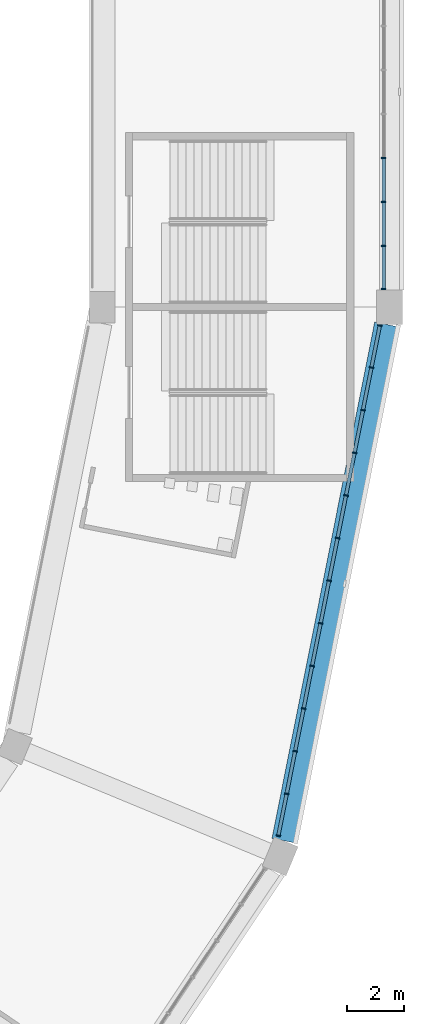
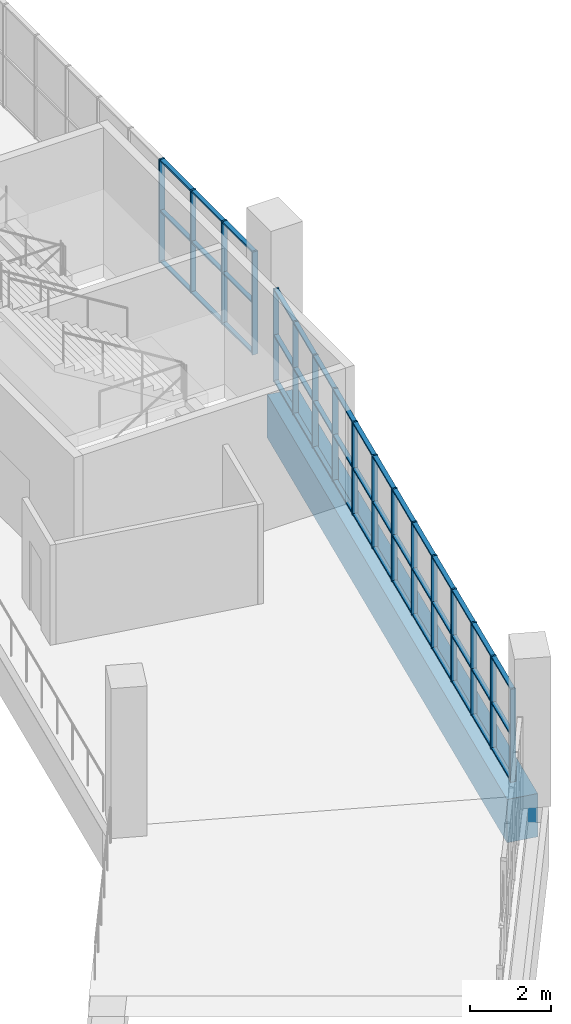
# One storey, part 20 of 177: 62 members, 1 beam, 2 elements without a shape of their own.
"""IFC4 building model written with IfcOpenShell, lengths in metres."""

from ifc_helpers import new_model, si_unit, direction, frame, origin, origin_2d, place, context, subcontext, project, spatial, rectangle, extrude, material, material_profile, profile_set, type_object, element, aggregate, save


model = new_model("IFC4")

# Units and contexts
model_context = context("Model", 3, precision=1e-05, world=origin(), true_north=direction((0.0, 1.0)))
body_context = subcontext(model_context, "Body", "Model", "MODEL_VIEW")
ifc_project = project(units=[si_unit("LENGTHUNIT", "METRE"), si_unit("AREAUNIT", "SQUARE_METRE"), si_unit("VOLUMEUNIT", "CUBIC_METRE"), si_unit("PLANEANGLEUNIT", "RADIAN"), si_unit("MASSUNIT", "GRAM", prefix="KILO")], contexts=[model_context])

# Site, building, storey
site_placement = place(None, origin())
site = spatial("IfcSite", under=ifc_project, at=site_placement, CompositionType="ELEMENT")
building_placement = place(site_placement, origin())
building = spatial("IfcBuilding", under=site, at=building_placement, Name="Ogive Plaza Stadium", CompositionType="ELEMENT")
storey_placement = place(building_placement, frame((0.0, 0.0, 18.0)))
storey = spatial("IfcBuildingStorey", under=building, at=storey_placement, Name="L04", CompositionType="ELEMENT", Elevation=18.0)

# Curtain wall, members
ifc_material_1 = material(Name="Bronze-anodised aluminium with laminated glass", Category="aluminium")
curtain_wall_type = type_object("IfcCurtainWallType", Name="Lancet curtain wall", PredefinedType="NOTDEFINED", material=ifc_material_1)
curtain_wall_1_placement = place(storey_placement, origin())
curtain_wall_1 = element("IfcCurtainWall", 1, at=curtain_wall_1_placement, inside=storey, type_object=curtain_wall_type, Name="CURTAIN WALL B07 L04", PredefinedType="NOTDEFINED")
ifc_material_2 = material(Name="Bronze-anodised aluminium", Category="aluminium")
ifc_material_profile_1 = material_profile(ifc_material_2, rectangle(XDim=0.14990234375, YDim=0.050048828125, at=origin_2d()), Name="AL 150x50")
ifc_profile_set_1 = profile_set([ifc_material_profile_1], Name="Bronze-anodised aluminium")
member_type_1 = type_object("IfcMemberType", Name="Curtain wall mullion 50x150", PredefinedType="MULLION", material=ifc_profile_set_1)
member_1_placement = place(storey_placement, frame((83.800048828125, -47.300048828125, 0.0), z_axis=(0.0, 0.0, 1.0), x_axis=(1.0, 0.0, 0.0)))
member_1 = element("IfcMember", 2, at=member_1_placement, type_object=member_type_1, Name="CW-B07-L04 mullion 7", PredefinedType="MULLION", context=body_context, shape_type="SweptSolid", body=[
    extrude(rectangle(XDim=0.14990234375, YDim=0.050048828125, at=origin_2d()), origin(), (0.0, 0.0, 1.0), 3.090087890625),
])
member_2_placement = place(storey_placement, frame((83.800048828125, -48.833251953125, 0.0), z_axis=(0.0, 0.0, 1.0), x_axis=(1.0, 0.0, 0.0)))
member_2 = element("IfcMember", 3, at=member_2_placement, type_object=member_type_1, Name="CW-B07-L04 mullion 8", PredefinedType="MULLION", context=body_context, shape_type="SweptSolid", body=[
    extrude(rectangle(XDim=0.14990234375, YDim=0.050048828125, at=origin_2d()), origin(), (0.0, 0.0, 1.0), 3.090087890625),
])
member_3_placement = place(storey_placement, frame((83.800048828125, -50.36669921875, 0.0), z_axis=(0.0, 0.0, 1.0), x_axis=(1.0, 0.0, 0.0)))
member_3 = element("IfcMember", 4, at=member_3_placement, type_object=member_type_1, Name="CW-B07-L04 mullion 9", PredefinedType="MULLION", context=body_context, shape_type="SweptSolid", body=[
    extrude(rectangle(XDim=0.14990234375, YDim=0.050048828125, at=origin_2d()), origin(), (0.0, 0.0, 1.0), 3.090087890625),
])
member_4_placement = place(storey_placement, frame((83.800048828125, -51.875, 0.0), z_axis=(0.0, 0.0, 1.0), x_axis=(1.0, 0.0, 0.0)))
member_4 = element("IfcMember", 5, at=member_4_placement, type_object=member_type_1, Name="CW-B07-L04 mullion 10", PredefinedType="MULLION", context=body_context, shape_type="SweptSolid", body=[
    extrude(rectangle(XDim=0.14990234375, YDim=0.050048828125, at=origin_2d()), origin(), (0.0, 0.0, 1.0), 3.090087890625),
])

curtain_wall_2_placement = place(storey_placement, origin())
curtain_wall_2 = element("IfcCurtainWall", 6, at=curtain_wall_2_placement, inside=storey, type_object=curtain_wall_type, Name="CURTAIN WALL B08 L04", PredefinedType="NOTDEFINED")
member_5_placement = place(storey_placement, frame((83.66796875, -53.14404296875, 0.0), z_axis=(0.0, 0.0, 1.0), x_axis=(0.980785280403, -0.195090322016, 0.0)))
member_5 = element("IfcMember", 7, at=member_5_placement, type_object=member_type_1, Name="CW-B08-L04 mullion 1", PredefinedType="MULLION", context=body_context, shape_type="SweptSolid", body=[
    extrude(rectangle(XDim=0.14990234375, YDim=0.050048828125, at=origin_2d()), origin(), (0.0, 0.0, 1.0), 2.7900390625),
])
member_6_placement = place(storey_placement, frame((83.37744140625, -54.604248046875, 0.0), z_axis=(0.0, 0.0, 1.0), x_axis=(0.980785280403, -0.195090322016, 0.0)))
member_6 = element("IfcMember", 8, at=member_6_placement, type_object=member_type_1, Name="CW-B08-L04 mullion 2", PredefinedType="MULLION", context=body_context, shape_type="SweptSolid", body=[
    extrude(rectangle(XDim=0.14990234375, YDim=0.050048828125, at=origin_2d()), origin(), (0.0, 0.0, 1.0), 2.7900390625),
])
member_7_placement = place(storey_placement, frame((83.082275390625, -56.089111328125, 0.0), z_axis=(0.0, 0.0, 1.0), x_axis=(0.980785280403, -0.195090322016, 0.0)))
member_7 = element("IfcMember", 9, at=member_7_placement, type_object=member_type_1, Name="CW-B08-L04 mullion 3", PredefinedType="MULLION", context=body_context, shape_type="SweptSolid", body=[
    extrude(rectangle(XDim=0.14990234375, YDim=0.050048828125, at=origin_2d()), origin(), (0.0, 0.0, 1.0), 2.7900390625),
])
member_8_placement = place(storey_placement, frame((82.786865234375, -57.57373046875, 0.0), z_axis=(0.0, 0.0, 1.0), x_axis=(0.980785280403, -0.195090322016, 0.0)))
member_8 = element("IfcMember", 10, at=member_8_placement, type_object=member_type_1, Name="CW-B08-L04 mullion 4", PredefinedType="MULLION", context=body_context, shape_type="SweptSolid", body=[
    extrude(rectangle(XDim=0.14990234375, YDim=0.050048828125, at=origin_2d()), origin(), (0.0, 0.0, 1.0), 2.7900390625),
])
member_9_placement = place(storey_placement, frame((82.491455078125, -59.05859375, 0.0), z_axis=(0.0, 0.0, 1.0), x_axis=(0.980785280403, -0.195090322016, 0.0)))
member_9 = element("IfcMember", 11, at=member_9_placement, type_object=member_type_1, Name="CW-B08-L04 mullion 5", PredefinedType="MULLION", context=body_context, shape_type="SweptSolid", body=[
    extrude(rectangle(XDim=0.14990234375, YDim=0.050048828125, at=origin_2d()), origin(), (0.0, 0.0, 1.0), 2.7900390625),
])
member_10_placement = place(storey_placement, frame((82.1962890625, -60.543212890625, 0.0), z_axis=(0.0, 0.0, 1.0), x_axis=(0.980785280403, -0.195090322016, 0.0)))
member_10 = element("IfcMember", 12, at=member_10_placement, type_object=member_type_1, Name="CW-B08-L04 mullion 6", PredefinedType="MULLION", context=body_context, shape_type="SweptSolid", body=[
    extrude(rectangle(XDim=0.14990234375, YDim=0.050048828125, at=origin_2d()), origin(), (0.0, 0.0, 1.0), 2.7900390625),
])
member_11_placement = place(storey_placement, frame((81.90087890625, -62.028076171875, 0.0), z_axis=(0.0, 0.0, 1.0), x_axis=(0.980785280403, -0.195090322016, 0.0)))
member_11 = element("IfcMember", 13, at=member_11_placement, type_object=member_type_1, Name="CW-B08-L04 mullion 7", PredefinedType="MULLION", context=body_context, shape_type="SweptSolid", body=[
    extrude(rectangle(XDim=0.14990234375, YDim=0.050048828125, at=origin_2d()), origin(), (0.0, 0.0, 1.0), 2.7900390625),
])
member_12_placement = place(storey_placement, frame((81.60546875, -63.512939453125, 0.0), z_axis=(0.0, 0.0, 1.0), x_axis=(0.980785280403, -0.195090322016, 0.0)))
member_12 = element("IfcMember", 14, at=member_12_placement, type_object=member_type_1, Name="CW-B08-L04 mullion 8", PredefinedType="MULLION", context=body_context, shape_type="SweptSolid", body=[
    extrude(rectangle(XDim=0.14990234375, YDim=0.050048828125, at=origin_2d()), origin(), (0.0, 0.0, 1.0), 2.7900390625),
])
member_13_placement = place(storey_placement, frame((81.31005859375, -64.99755859375, 0.0), z_axis=(0.0, 0.0, 1.0), x_axis=(0.980785280403, -0.195090322016, 0.0)))
member_13 = element("IfcMember", 15, at=member_13_placement, type_object=member_type_1, Name="CW-B08-L04 mullion 9", PredefinedType="MULLION", context=body_context, shape_type="SweptSolid", body=[
    extrude(rectangle(XDim=0.14990234375, YDim=0.050048828125, at=origin_2d()), origin(), (0.0, 0.0, 1.0), 2.7900390625),
])
member_14_placement = place(storey_placement, frame((81.014892578125, -66.482421875, 0.0), z_axis=(0.0, 0.0, 1.0), x_axis=(0.980785280403, -0.195090322016, 0.0)))
member_14 = element("IfcMember", 16, at=member_14_placement, type_object=member_type_1, Name="CW-B08-L04 mullion 10", PredefinedType="MULLION", context=body_context, shape_type="SweptSolid", body=[
    extrude(rectangle(XDim=0.14990234375, YDim=0.050048828125, at=origin_2d()), origin(), (0.0, 0.0, 1.0), 2.7900390625),
])
member_15_placement = place(storey_placement, frame((80.719482421875, -67.967041015625, 0.0), z_axis=(0.0, 0.0, 1.0), x_axis=(0.980785280403, -0.195090322016, 0.0)))
member_15 = element("IfcMember", 17, at=member_15_placement, type_object=member_type_1, Name="CW-B08-L04 mullion 11", PredefinedType="MULLION", context=body_context, shape_type="SweptSolid", body=[
    extrude(rectangle(XDim=0.14990234375, YDim=0.050048828125, at=origin_2d()), origin(), (0.0, 0.0, 1.0), 2.7900390625),
])
member_16_placement = place(storey_placement, frame((80.424072265625, -69.451904296875, 0.0), z_axis=(0.0, 0.0, 1.0), x_axis=(0.980785280403, -0.195090322016, 0.0)))
member_16 = element("IfcMember", 18, at=member_16_placement, type_object=member_type_1, Name="CW-B08-L04 mullion 12", PredefinedType="MULLION", context=body_context, shape_type="SweptSolid", body=[
    extrude(rectangle(XDim=0.14990234375, YDim=0.050048828125, at=origin_2d()), origin(), (0.0, 0.0, 1.0), 2.7900390625),
])
member_17_placement = place(storey_placement, frame((80.1337890625, -70.912109375, 0.0), z_axis=(0.0, 0.0, 1.0), x_axis=(0.980785280403, -0.195090322016, 0.0)))
member_17 = element("IfcMember", 19, at=member_17_placement, type_object=member_type_1, Name="CW-B08-L04 mullion 13", PredefinedType="MULLION", context=body_context, shape_type="SweptSolid", body=[
    extrude(rectangle(XDim=0.14990234375, YDim=0.050048828125, at=origin_2d()), origin(), (0.0, 0.0, 1.0), 2.7900390625),
])

# Member
ifc_material_3 = material(Name="Bronze-anodised aluminium", Category="aluminium")
ifc_material_profile_2 = material_profile(ifc_material_3, rectangle(XDim=0.1201171875, YDim=0.050048828125, at=origin_2d()), Name="AL 120x50")
ifc_profile_set_2 = profile_set([ifc_material_profile_2], Name="Bronze-anodised aluminium")
member_type_2 = type_object("IfcMemberType", Name="Curtain wall transom 50x120", PredefinedType="USERDEFINED", material=ifc_profile_set_2)
member_18_placement = place(storey_placement, frame((83.800048828125, -47.324951171875, 0.02490234375), z_axis=(0.0, -1.0, 0.0), x_axis=(1.0, 0.0, 0.0)))
member_18 = element("IfcMember", 20, at=member_18_placement, type_object=member_type_2, Name="CW-B07-L04 transom 7.1", ObjectType="TRANSOM", PredefinedType="USERDEFINED", context=body_context, shape_type="SweptSolid", body=[
    extrude(rectangle(XDim=0.1201171875, YDim=0.050048828125, at=origin_2d()), origin(), (0.0, 0.0, 1.0), 1.4833984375),
])

member_19_placement = place(storey_placement, frame((83.800048828125, -47.324951171875, 1.544921875), z_axis=(0.0, -1.0, 0.0), x_axis=(1.0, 0.0, 0.0)))
member_19 = element("IfcMember", 21, at=member_19_placement, type_object=member_type_2, Name="CW-B07-L04 transom 7.2", ObjectType="TRANSOM", PredefinedType="USERDEFINED", context=body_context, shape_type="SweptSolid", body=[
    extrude(rectangle(XDim=0.1201171875, YDim=0.050048828125, at=origin_2d()), origin(), (0.0, 0.0, 1.0), 1.4833984375),
])

member_20_placement = place(storey_placement, frame((83.800048828125, -47.324951171875, 3.06494140625), z_axis=(0.0, -1.0, 0.0), x_axis=(1.0, 0.0, 0.0)))
member_20 = element("IfcMember", 22, at=member_20_placement, type_object=member_type_2, Name="CW-B07-L04 transom 7.3", ObjectType="TRANSOM", PredefinedType="USERDEFINED", context=body_context, shape_type="SweptSolid", body=[
    extrude(rectangle(XDim=0.1201171875, YDim=0.050048828125, at=origin_2d()), origin(), (0.0, 0.0, 1.0), 1.4833984375),
])

member_21_placement = place(storey_placement, frame((83.800048828125, -48.8583984375, 0.02490234375), z_axis=(0.0, -1.0, 0.0), x_axis=(1.0, 0.0, 0.0)))
member_21 = element("IfcMember", 23, at=member_21_placement, type_object=member_type_2, Name="CW-B07-L04 transom 8.1", ObjectType="TRANSOM", PredefinedType="USERDEFINED", context=body_context, shape_type="SweptSolid", body=[
    extrude(rectangle(XDim=0.1201171875, YDim=0.050048828125, at=origin_2d()), origin(), (0.0, 0.0, 1.0), 1.483154296875),
])

member_22_placement = place(storey_placement, frame((83.800048828125, -48.8583984375, 1.544921875), z_axis=(0.0, -1.0, 0.0), x_axis=(1.0, 0.0, 0.0)))
member_22 = element("IfcMember", 24, at=member_22_placement, type_object=member_type_2, Name="CW-B07-L04 transom 8.2", ObjectType="TRANSOM", PredefinedType="USERDEFINED", context=body_context, shape_type="SweptSolid", body=[
    extrude(rectangle(XDim=0.1201171875, YDim=0.050048828125, at=origin_2d()), origin(), (0.0, 0.0, 1.0), 1.483154296875),
])

member_23_placement = place(storey_placement, frame((83.800048828125, -48.8583984375, 3.06494140625), z_axis=(0.0, -1.0, 0.0), x_axis=(1.0, 0.0, 0.0)))
member_23 = element("IfcMember", 25, at=member_23_placement, type_object=member_type_2, Name="CW-B07-L04 transom 8.3", ObjectType="TRANSOM", PredefinedType="USERDEFINED", context=body_context, shape_type="SweptSolid", body=[
    extrude(rectangle(XDim=0.1201171875, YDim=0.050048828125, at=origin_2d()), origin(), (0.0, 0.0, 1.0), 1.483154296875),
])

member_24_placement = place(storey_placement, frame((83.800048828125, -50.3916015625, 0.02490234375), z_axis=(0.0, -1.0, 0.0), x_axis=(1.0, 0.0, 0.0)))
member_24 = element("IfcMember", 26, at=member_24_placement, type_object=member_type_2, Name="CW-B07-L04 transom 9.1", ObjectType="TRANSOM", PredefinedType="USERDEFINED", context=body_context, shape_type="SweptSolid", body=[
    extrude(rectangle(XDim=0.1201171875, YDim=0.050048828125, at=origin_2d()), origin(), (0.0, 0.0, 1.0), 1.45849609375),
])

member_25_placement = place(storey_placement, frame((83.800048828125, -50.3916015625, 1.544921875), z_axis=(0.0, -1.0, 0.0), x_axis=(1.0, 0.0, 0.0)))
member_25 = element("IfcMember", 27, at=member_25_placement, type_object=member_type_2, Name="CW-B07-L04 transom 9.2", ObjectType="TRANSOM", PredefinedType="USERDEFINED", context=body_context, shape_type="SweptSolid", body=[
    extrude(rectangle(XDim=0.1201171875, YDim=0.050048828125, at=origin_2d()), origin(), (0.0, 0.0, 1.0), 1.45849609375),
])

member_26_placement = place(storey_placement, frame((83.800048828125, -50.3916015625, 3.06494140625), z_axis=(0.0, -1.0, 0.0), x_axis=(1.0, 0.0, 0.0)))
member_26 = element("IfcMember", 28, at=member_26_placement, type_object=member_type_2, Name="CW-B07-L04 transom 9.3", ObjectType="TRANSOM", PredefinedType="USERDEFINED", context=body_context, shape_type="SweptSolid", body=[
    extrude(rectangle(XDim=0.1201171875, YDim=0.050048828125, at=origin_2d()), origin(), (0.0, 0.0, 1.0), 1.45849609375),
])

aggregate(curtain_wall_1, [member_1, member_2, member_3, member_4, member_18, member_19, member_20, member_21, member_22, member_23, member_24, member_25, member_26])

member_27_placement = place(storey_placement, frame((83.6630859375, -53.16845703125, 0.02490234375), z_axis=(-0.195104618913, -0.980782436465, 0.0), x_axis=(0.980782436465, -0.195104618913, 0.0)))
member_27 = element("IfcMember", 29, at=member_27_placement, type_object=member_type_2, Name="CW-B08-L04 transom 1.1", ObjectType="TRANSOM", PredefinedType="USERDEFINED", context=body_context, shape_type="SweptSolid", body=[
    extrude(rectangle(XDim=0.1201171875, YDim=0.050048828125, at=origin_2d()), origin(), (0.0, 0.0, 1.0), 1.43896484375),
])

member_28_placement = place(storey_placement, frame((83.6630859375, -53.16845703125, 1.39501953125), z_axis=(-0.195104618913, -0.980782436465, 0.0), x_axis=(0.980782436465, -0.195104618913, 0.0)))
member_28 = element("IfcMember", 30, at=member_28_placement, type_object=member_type_2, Name="CW-B08-L04 transom 1.2", ObjectType="TRANSOM", PredefinedType="USERDEFINED", context=body_context, shape_type="SweptSolid", body=[
    extrude(rectangle(XDim=0.1201171875, YDim=0.050048828125, at=origin_2d()), origin(), (0.0, 0.0, 1.0), 1.43896484375),
])

member_29_placement = place(storey_placement, frame((83.6630859375, -53.16845703125, 2.764892578125), z_axis=(-0.195104618913, -0.980782436465, 0.0), x_axis=(0.980782436465, -0.195104618913, 0.0)))
member_29 = element("IfcMember", 31, at=member_29_placement, type_object=member_type_2, Name="CW-B08-L04 transom 1.3", ObjectType="TRANSOM", PredefinedType="USERDEFINED", context=body_context, shape_type="SweptSolid", body=[
    extrude(rectangle(XDim=0.1201171875, YDim=0.050048828125, at=origin_2d()), origin(), (0.0, 0.0, 1.0), 1.43896484375),
])

member_30_placement = place(storey_placement, frame((83.37255859375, -54.62890625, 0.02490234375), z_axis=(-0.194993290732, -0.980804576136, 0.0), x_axis=(0.980804576136, -0.194993290732, 0.0)))
member_30 = element("IfcMember", 32, at=member_30_placement, type_object=member_type_2, Name="CW-B08-L04 transom 2.1", ObjectType="TRANSOM", PredefinedType="USERDEFINED", context=body_context, shape_type="SweptSolid", body=[
    extrude(rectangle(XDim=0.1201171875, YDim=0.050048828125, at=origin_2d()), origin(), (0.0, 0.0, 1.0), 1.463623046875),
])

member_31_placement = place(storey_placement, frame((83.37255859375, -54.62890625, 1.39501953125), z_axis=(-0.194993290732, -0.980804576136, 0.0), x_axis=(0.980804576136, -0.194993290732, 0.0)))
member_31 = element("IfcMember", 33, at=member_31_placement, type_object=member_type_2, Name="CW-B08-L04 transom 2.2", ObjectType="TRANSOM", PredefinedType="USERDEFINED", context=body_context, shape_type="SweptSolid", body=[
    extrude(rectangle(XDim=0.1201171875, YDim=0.050048828125, at=origin_2d()), origin(), (0.0, 0.0, 1.0), 1.463623046875),
])

member_32_placement = place(storey_placement, frame((83.37255859375, -54.62890625, 2.764892578125), z_axis=(-0.194993290732, -0.980804576136, 0.0), x_axis=(0.980804576136, -0.194993290732, 0.0)))
member_32 = element("IfcMember", 34, at=member_32_placement, type_object=member_type_2, Name="CW-B08-L04 transom 2.3", ObjectType="TRANSOM", PredefinedType="USERDEFINED", context=body_context, shape_type="SweptSolid", body=[
    extrude(rectangle(XDim=0.1201171875, YDim=0.050048828125, at=origin_2d()), origin(), (0.0, 0.0, 1.0), 1.463623046875),
])

member_33_placement = place(storey_placement, frame((83.077392578125, -56.113525390625, 0.02490234375), z_axis=(-0.195121823859, -0.980779013771, 0.0), x_axis=(0.980779013771, -0.195121823859, 0.0)))
member_33 = element("IfcMember", 35, at=member_33_placement, type_object=member_type_2, Name="CW-B08-L04 transom 3.1", ObjectType="TRANSOM", PredefinedType="USERDEFINED", context=body_context, shape_type="SweptSolid", body=[
    extrude(rectangle(XDim=0.1201171875, YDim=0.050048828125, at=origin_2d()), origin(), (0.0, 0.0, 1.0), 1.4638671875),
])

member_34_placement = place(storey_placement, frame((83.077392578125, -56.113525390625, 1.39501953125), z_axis=(-0.195121823859, -0.980779013771, 0.0), x_axis=(0.980779013771, -0.195121823859, 0.0)))
member_34 = element("IfcMember", 36, at=member_34_placement, type_object=member_type_2, Name="CW-B08-L04 transom 3.2", ObjectType="TRANSOM", PredefinedType="USERDEFINED", context=body_context, shape_type="SweptSolid", body=[
    extrude(rectangle(XDim=0.1201171875, YDim=0.050048828125, at=origin_2d()), origin(), (0.0, 0.0, 1.0), 1.4638671875),
])

member_35_placement = place(storey_placement, frame((83.077392578125, -56.113525390625, 2.764892578125), z_axis=(-0.195121823859, -0.980779013771, 0.0), x_axis=(0.980779013771, -0.195121823859, 0.0)))
member_35 = element("IfcMember", 37, at=member_35_placement, type_object=member_type_2, Name="CW-B08-L04 transom 3.3", ObjectType="TRANSOM", PredefinedType="USERDEFINED", context=body_context, shape_type="SweptSolid", body=[
    extrude(rectangle(XDim=0.1201171875, YDim=0.050048828125, at=origin_2d()), origin(), (0.0, 0.0, 1.0), 1.4638671875),
])

member_36_placement = place(storey_placement, frame((82.781982421875, -57.598388671875, 0.02490234375), z_axis=(-0.195153744134, -0.980772662828, 0.0), x_axis=(0.980772662828, -0.195153744134, 0.0)))
member_36 = element("IfcMember", 38, at=member_36_placement, type_object=member_type_2, Name="CW-B08-L04 transom 4.1", ObjectType="TRANSOM", PredefinedType="USERDEFINED", context=body_context, shape_type="SweptSolid", body=[
    extrude(rectangle(XDim=0.1201171875, YDim=0.050048828125, at=origin_2d()), origin(), (0.0, 0.0, 1.0), 1.463623046875),
])

member_37_placement = place(storey_placement, frame((82.781982421875, -57.598388671875, 1.39501953125), z_axis=(-0.195153744134, -0.980772662828, 0.0), x_axis=(0.980772662828, -0.195153744134, 0.0)))
member_37 = element("IfcMember", 39, at=member_37_placement, type_object=member_type_2, Name="CW-B08-L04 transom 4.2", ObjectType="TRANSOM", PredefinedType="USERDEFINED", context=body_context, shape_type="SweptSolid", body=[
    extrude(rectangle(XDim=0.1201171875, YDim=0.050048828125, at=origin_2d()), origin(), (0.0, 0.0, 1.0), 1.463623046875),
])

member_38_placement = place(storey_placement, frame((82.781982421875, -57.598388671875, 2.764892578125), z_axis=(-0.195153744134, -0.980772662828, 0.0), x_axis=(0.980772662828, -0.195153744134, 0.0)))
member_38 = element("IfcMember", 40, at=member_38_placement, type_object=member_type_2, Name="CW-B08-L04 transom 4.3", ObjectType="TRANSOM", PredefinedType="USERDEFINED", context=body_context, shape_type="SweptSolid", body=[
    extrude(rectangle(XDim=0.1201171875, YDim=0.050048828125, at=origin_2d()), origin(), (0.0, 0.0, 1.0), 1.463623046875),
])

member_39_placement = place(storey_placement, frame((82.486572265625, -59.0830078125, 0.02490234375), z_axis=(-0.195121823859, -0.980779013771, 0.0), x_axis=(0.980779013771, -0.195121823859, 0.0)))
member_39 = element("IfcMember", 41, at=member_39_placement, type_object=member_type_2, Name="CW-B08-L04 transom 5.1", ObjectType="TRANSOM", PredefinedType="USERDEFINED", context=body_context, shape_type="SweptSolid", body=[
    extrude(rectangle(XDim=0.1201171875, YDim=0.050048828125, at=origin_2d()), origin(), (0.0, 0.0, 1.0), 1.4638671875),
])

member_40_placement = place(storey_placement, frame((82.486572265625, -59.0830078125, 1.39501953125), z_axis=(-0.195121823859, -0.980779013771, 0.0), x_axis=(0.980779013771, -0.195121823859, 0.0)))
member_40 = element("IfcMember", 42, at=member_40_placement, type_object=member_type_2, Name="CW-B08-L04 transom 5.2", ObjectType="TRANSOM", PredefinedType="USERDEFINED", context=body_context, shape_type="SweptSolid", body=[
    extrude(rectangle(XDim=0.1201171875, YDim=0.050048828125, at=origin_2d()), origin(), (0.0, 0.0, 1.0), 1.4638671875),
])

member_41_placement = place(storey_placement, frame((82.486572265625, -59.0830078125, 2.764892578125), z_axis=(-0.195121823859, -0.980779013771, 0.0), x_axis=(0.980779013771, -0.195121823859, 0.0)))
member_41 = element("IfcMember", 43, at=member_41_placement, type_object=member_type_2, Name="CW-B08-L04 transom 5.3", ObjectType="TRANSOM", PredefinedType="USERDEFINED", context=body_context, shape_type="SweptSolid", body=[
    extrude(rectangle(XDim=0.1201171875, YDim=0.050048828125, at=origin_2d()), origin(), (0.0, 0.0, 1.0), 1.4638671875),
])

member_42_placement = place(storey_placement, frame((82.19140625, -60.56787109375, 0.02490234375), z_axis=(-0.195121823859, -0.980779013771, 0.0), x_axis=(0.980779013771, -0.195121823859, 0.0)))
member_42 = element("IfcMember", 44, at=member_42_placement, type_object=member_type_2, Name="CW-B08-L04 transom 6.1", ObjectType="TRANSOM", PredefinedType="USERDEFINED", context=body_context, shape_type="SweptSolid", body=[
    extrude(rectangle(XDim=0.1201171875, YDim=0.050048828125, at=origin_2d()), origin(), (0.0, 0.0, 1.0), 1.4638671875),
])

member_43_placement = place(storey_placement, frame((82.19140625, -60.56787109375, 1.39501953125), z_axis=(-0.195121823859, -0.980779013771, 0.0), x_axis=(0.980779013771, -0.195121823859, 0.0)))
member_43 = element("IfcMember", 45, at=member_43_placement, type_object=member_type_2, Name="CW-B08-L04 transom 6.2", ObjectType="TRANSOM", PredefinedType="USERDEFINED", context=body_context, shape_type="SweptSolid", body=[
    extrude(rectangle(XDim=0.1201171875, YDim=0.050048828125, at=origin_2d()), origin(), (0.0, 0.0, 1.0), 1.4638671875),
])

member_44_placement = place(storey_placement, frame((82.19140625, -60.56787109375, 2.764892578125), z_axis=(-0.195121823859, -0.980779013771, 0.0), x_axis=(0.980779013771, -0.195121823859, 0.0)))
member_44 = element("IfcMember", 46, at=member_44_placement, type_object=member_type_2, Name="CW-B08-L04 transom 6.3", ObjectType="TRANSOM", PredefinedType="USERDEFINED", context=body_context, shape_type="SweptSolid", body=[
    extrude(rectangle(XDim=0.1201171875, YDim=0.050048828125, at=origin_2d()), origin(), (0.0, 0.0, 1.0), 1.4638671875),
])

member_45_placement = place(storey_placement, frame((81.89599609375, -62.052490234375, 0.02490234375), z_axis=(-0.195121823859, -0.980779013771, 0.0), x_axis=(0.980779013771, -0.195121823859, 0.0)))
member_45 = element("IfcMember", 47, at=member_45_placement, type_object=member_type_2, Name="CW-B08-L04 transom 7.1", ObjectType="TRANSOM", PredefinedType="USERDEFINED", context=body_context, shape_type="SweptSolid", body=[
    extrude(rectangle(XDim=0.1201171875, YDim=0.050048828125, at=origin_2d()), origin(), (0.0, 0.0, 1.0), 1.4638671875),
])

member_46_placement = place(storey_placement, frame((81.89599609375, -62.052490234375, 1.39501953125), z_axis=(-0.195121823859, -0.980779013771, 0.0), x_axis=(0.980779013771, -0.195121823859, 0.0)))
member_46 = element("IfcMember", 48, at=member_46_placement, type_object=member_type_2, Name="CW-B08-L04 transom 7.2", ObjectType="TRANSOM", PredefinedType="USERDEFINED", context=body_context, shape_type="SweptSolid", body=[
    extrude(rectangle(XDim=0.1201171875, YDim=0.050048828125, at=origin_2d()), origin(), (0.0, 0.0, 1.0), 1.4638671875),
])

member_47_placement = place(storey_placement, frame((81.89599609375, -62.052490234375, 2.764892578125), z_axis=(-0.195121823859, -0.980779013771, 0.0), x_axis=(0.980779013771, -0.195121823859, 0.0)))
member_47 = element("IfcMember", 49, at=member_47_placement, type_object=member_type_2, Name="CW-B08-L04 transom 7.3", ObjectType="TRANSOM", PredefinedType="USERDEFINED", context=body_context, shape_type="SweptSolid", body=[
    extrude(rectangle(XDim=0.1201171875, YDim=0.050048828125, at=origin_2d()), origin(), (0.0, 0.0, 1.0), 1.4638671875),
])

member_48_placement = place(storey_placement, frame((81.6005859375, -63.537353515625, 0.02490234375), z_axis=(-0.195121823859, -0.980779013771, 0.0), x_axis=(0.980779013771, -0.195121823859, 0.0)))
member_48 = element("IfcMember", 50, at=member_48_placement, type_object=member_type_2, Name="CW-B08-L04 transom 8.1", ObjectType="TRANSOM", PredefinedType="USERDEFINED", context=body_context, shape_type="SweptSolid", body=[
    extrude(rectangle(XDim=0.1201171875, YDim=0.050048828125, at=origin_2d()), origin(), (0.0, 0.0, 1.0), 1.4638671875),
])

member_49_placement = place(storey_placement, frame((81.6005859375, -63.537353515625, 1.39501953125), z_axis=(-0.195121823859, -0.980779013771, 0.0), x_axis=(0.980779013771, -0.195121823859, 0.0)))
member_49 = element("IfcMember", 51, at=member_49_placement, type_object=member_type_2, Name="CW-B08-L04 transom 8.2", ObjectType="TRANSOM", PredefinedType="USERDEFINED", context=body_context, shape_type="SweptSolid", body=[
    extrude(rectangle(XDim=0.1201171875, YDim=0.050048828125, at=origin_2d()), origin(), (0.0, 0.0, 1.0), 1.4638671875),
])

member_50_placement = place(storey_placement, frame((81.6005859375, -63.537353515625, 2.764892578125), z_axis=(-0.195121823859, -0.980779013771, 0.0), x_axis=(0.980779013771, -0.195121823859, 0.0)))
member_50 = element("IfcMember", 52, at=member_50_placement, type_object=member_type_2, Name="CW-B08-L04 transom 8.3", ObjectType="TRANSOM", PredefinedType="USERDEFINED", context=body_context, shape_type="SweptSolid", body=[
    extrude(rectangle(XDim=0.1201171875, YDim=0.050048828125, at=origin_2d()), origin(), (0.0, 0.0, 1.0), 1.4638671875),
])

member_51_placement = place(storey_placement, frame((81.30517578125, -65.022216796875, 0.02490234375), z_axis=(-0.194993290732, -0.980804576136, 0.0), x_axis=(0.980804576136, -0.194993290732, 0.0)))
member_51 = element("IfcMember", 53, at=member_51_placement, type_object=member_type_2, Name="CW-B08-L04 transom 9.1", ObjectType="TRANSOM", PredefinedType="USERDEFINED", context=body_context, shape_type="SweptSolid", body=[
    extrude(rectangle(XDim=0.1201171875, YDim=0.050048828125, at=origin_2d()), origin(), (0.0, 0.0, 1.0), 1.463623046875),
])

member_52_placement = place(storey_placement, frame((81.30517578125, -65.022216796875, 1.39501953125), z_axis=(-0.194993290732, -0.980804576136, 0.0), x_axis=(0.980804576136, -0.194993290732, 0.0)))
member_52 = element("IfcMember", 54, at=member_52_placement, type_object=member_type_2, Name="CW-B08-L04 transom 9.2", ObjectType="TRANSOM", PredefinedType="USERDEFINED", context=body_context, shape_type="SweptSolid", body=[
    extrude(rectangle(XDim=0.1201171875, YDim=0.050048828125, at=origin_2d()), origin(), (0.0, 0.0, 1.0), 1.463623046875),
])

member_53_placement = place(storey_placement, frame((81.30517578125, -65.022216796875, 2.764892578125), z_axis=(-0.194993290732, -0.980804576136, 0.0), x_axis=(0.980804576136, -0.194993290732, 0.0)))
member_53 = element("IfcMember", 55, at=member_53_placement, type_object=member_type_2, Name="CW-B08-L04 transom 9.3", ObjectType="TRANSOM", PredefinedType="USERDEFINED", context=body_context, shape_type="SweptSolid", body=[
    extrude(rectangle(XDim=0.1201171875, YDim=0.050048828125, at=origin_2d()), origin(), (0.0, 0.0, 1.0), 1.463623046875),
])

member_54_placement = place(storey_placement, frame((81.010009765625, -66.5068359375, 0.02490234375), z_axis=(-0.195121823859, -0.980779013771, 0.0), x_axis=(0.980779013771, -0.195121823859, 0.0)))
member_54 = element("IfcMember", 56, at=member_54_placement, type_object=member_type_2, Name="CW-B08-L04 transom 10.1", ObjectType="TRANSOM", PredefinedType="USERDEFINED", context=body_context, shape_type="SweptSolid", body=[
    extrude(rectangle(XDim=0.1201171875, YDim=0.050048828125, at=origin_2d()), origin(), (0.0, 0.0, 1.0), 1.4638671875),
])

member_55_placement = place(storey_placement, frame((81.010009765625, -66.5068359375, 1.39501953125), z_axis=(-0.195121823859, -0.980779013771, 0.0), x_axis=(0.980779013771, -0.195121823859, 0.0)))
member_55 = element("IfcMember", 57, at=member_55_placement, type_object=member_type_2, Name="CW-B08-L04 transom 10.2", ObjectType="TRANSOM", PredefinedType="USERDEFINED", context=body_context, shape_type="SweptSolid", body=[
    extrude(rectangle(XDim=0.1201171875, YDim=0.050048828125, at=origin_2d()), origin(), (0.0, 0.0, 1.0), 1.4638671875),
])

member_56_placement = place(storey_placement, frame((81.010009765625, -66.5068359375, 2.764892578125), z_axis=(-0.195121823859, -0.980779013771, 0.0), x_axis=(0.980779013771, -0.195121823859, 0.0)))
member_56 = element("IfcMember", 58, at=member_56_placement, type_object=member_type_2, Name="CW-B08-L04 transom 10.3", ObjectType="TRANSOM", PredefinedType="USERDEFINED", context=body_context, shape_type="SweptSolid", body=[
    extrude(rectangle(XDim=0.1201171875, YDim=0.050048828125, at=origin_2d()), origin(), (0.0, 0.0, 1.0), 1.4638671875),
])

member_57_placement = place(storey_placement, frame((80.714599609375, -67.99169921875, 0.02490234375), z_axis=(-0.195153744134, -0.980772662828, 0.0), x_axis=(0.980772662828, -0.195153744134, 0.0)))
member_57 = element("IfcMember", 59, at=member_57_placement, type_object=member_type_2, Name="CW-B08-L04 transom 11.1", ObjectType="TRANSOM", PredefinedType="USERDEFINED", context=body_context, shape_type="SweptSolid", body=[
    extrude(rectangle(XDim=0.1201171875, YDim=0.050048828125, at=origin_2d()), origin(), (0.0, 0.0, 1.0), 1.463623046875),
])

member_58_placement = place(storey_placement, frame((80.714599609375, -67.99169921875, 1.39501953125), z_axis=(-0.195153744134, -0.980772662828, 0.0), x_axis=(0.980772662828, -0.195153744134, 0.0)))
member_58 = element("IfcMember", 60, at=member_58_placement, type_object=member_type_2, Name="CW-B08-L04 transom 11.2", ObjectType="TRANSOM", PredefinedType="USERDEFINED", context=body_context, shape_type="SweptSolid", body=[
    extrude(rectangle(XDim=0.1201171875, YDim=0.050048828125, at=origin_2d()), origin(), (0.0, 0.0, 1.0), 1.463623046875),
])

member_59_placement = place(storey_placement, frame((80.714599609375, -67.99169921875, 2.764892578125), z_axis=(-0.195153744134, -0.980772662828, 0.0), x_axis=(0.980772662828, -0.195153744134, 0.0)))
member_59 = element("IfcMember", 61, at=member_59_placement, type_object=member_type_2, Name="CW-B08-L04 transom 11.3", ObjectType="TRANSOM", PredefinedType="USERDEFINED", context=body_context, shape_type="SweptSolid", body=[
    extrude(rectangle(XDim=0.1201171875, YDim=0.050048828125, at=origin_2d()), origin(), (0.0, 0.0, 1.0), 1.463623046875),
])

member_60_placement = place(storey_placement, frame((80.419189453125, -69.476318359375, 0.02490234375), z_axis=(-0.194941412722, -0.980814888552, 0.0), x_axis=(0.980814888552, -0.194941412722, 0.0)))
member_60 = element("IfcMember", 62, at=member_60_placement, type_object=member_type_2, Name="CW-B08-L04 transom 12.1", ObjectType="TRANSOM", PredefinedType="USERDEFINED", context=body_context, shape_type="SweptSolid", body=[
    extrude(rectangle(XDim=0.1201171875, YDim=0.050048828125, at=origin_2d()), origin(), (0.0, 0.0, 1.0), 1.43896484375),
])

member_61_placement = place(storey_placement, frame((80.419189453125, -69.476318359375, 1.39501953125), z_axis=(-0.194941412722, -0.980814888552, 0.0), x_axis=(0.980814888552, -0.194941412722, 0.0)))
member_61 = element("IfcMember", 63, at=member_61_placement, type_object=member_type_2, Name="CW-B08-L04 transom 12.2", ObjectType="TRANSOM", PredefinedType="USERDEFINED", context=body_context, shape_type="SweptSolid", body=[
    extrude(rectangle(XDim=0.1201171875, YDim=0.050048828125, at=origin_2d()), origin(), (0.0, 0.0, 1.0), 1.43896484375),
])

member_62_placement = place(storey_placement, frame((80.419189453125, -69.476318359375, 2.764892578125), z_axis=(-0.194941412722, -0.980814888552, 0.0), x_axis=(0.980814888552, -0.194941412722, 0.0)))
member_62 = element("IfcMember", 64, at=member_62_placement, type_object=member_type_2, Name="CW-B08-L04 transom 12.3", ObjectType="TRANSOM", PredefinedType="USERDEFINED", context=body_context, shape_type="SweptSolid", body=[
    extrude(rectangle(XDim=0.1201171875, YDim=0.050048828125, at=origin_2d()), origin(), (0.0, 0.0, 1.0), 1.43896484375),
])

aggregate(curtain_wall_2, [member_5, member_6, member_7, member_8, member_9, member_10, member_11, member_12, member_13, member_14, member_15, member_16, member_17, member_27, member_28, member_29, member_30, member_31, member_32, member_33, member_34, member_35, member_36, member_37, member_38, member_39, member_40, member_41, member_42, member_43, member_44, member_45, member_46, member_47, member_48, member_49, member_50, member_51, member_52, member_53, member_54, member_55, member_56, member_57, member_58, member_59, member_60, member_61, member_62])

# Beam
ifc_material_4 = material(Name="Concrete C40/50", Category="concrete")
ifc_material_profile_3 = material_profile(ifc_material_4, rectangle(XDim=0.800048828125, YDim=1.300048828125, at=origin_2d()), Name="RC 800x1300")
ifc_profile_set_3 = profile_set([ifc_material_profile_3], Name="Concrete C40/50")
beam_type = type_object("IfcBeamType", Name="RC spandrel beam 800x1300", PredefinedType="SPANDREL", material=ifc_profile_set_3)
beam_placement = place(storey_placement, frame((83.880615234375, -53.10009765625, -1.06005859375), z_axis=(-0.195084152283, -0.980786507619, 0.0), x_axis=(0.980786507619, -0.195084152283, 0.0)))
element("IfcBeam", 65, at=beam_placement, inside=storey, type_object=beam_type, Name="Ring beam F5 L04 B08", PredefinedType="SPANDREL", context=body_context, shape_type="SweptSolid", body=[
    extrude(rectangle(XDim=0.800048828125, YDim=1.300048828125, at=origin_2d()), origin(), (0.0, 0.0, 1.0), 18.33642578125),
])

save(model, "model.ifc")
